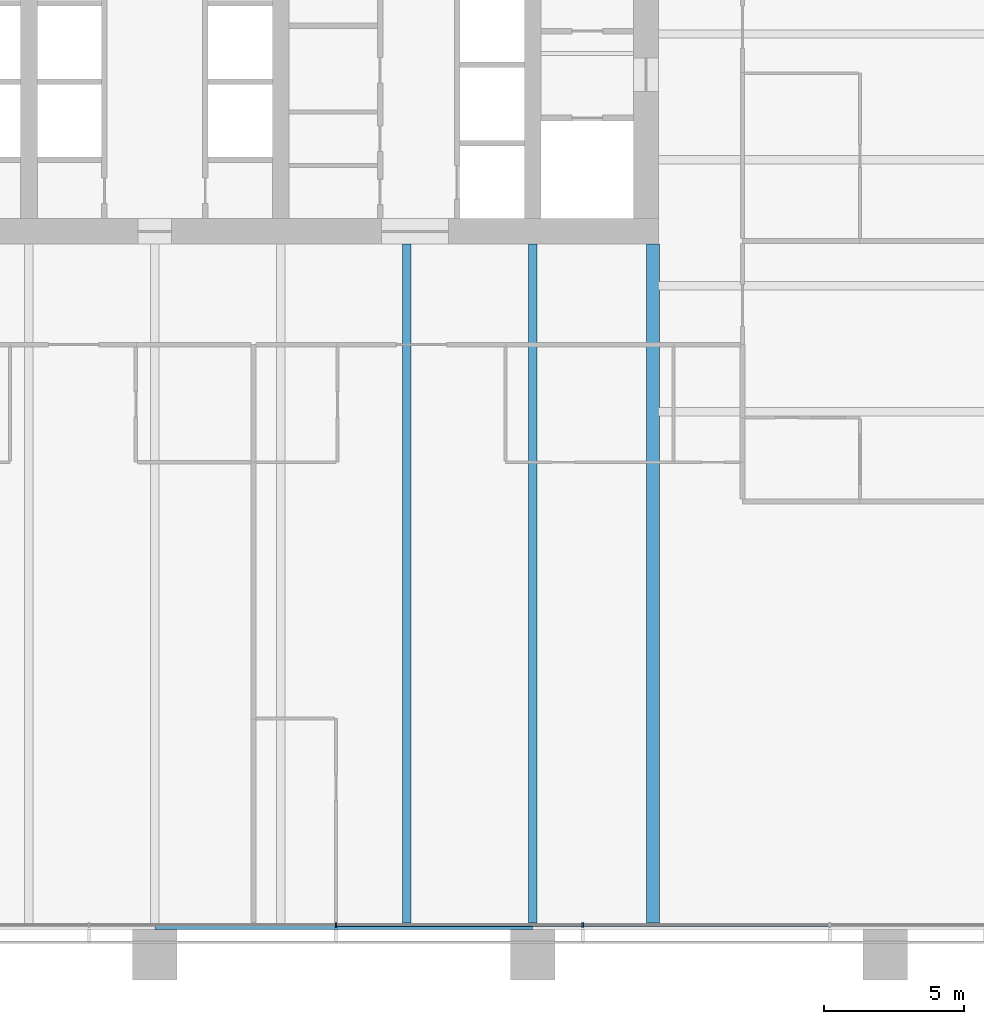
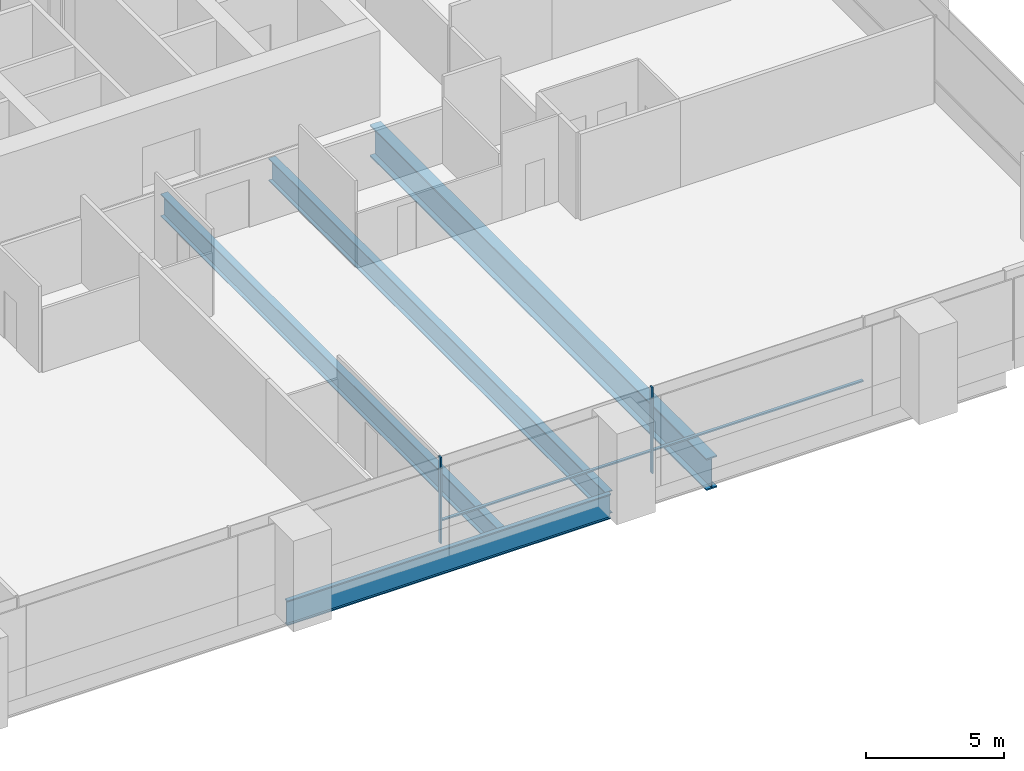
# One storey, part 5 of 19: 4 beams, 4 members, 1 element without a shape of its own.
"""IFC4 building model written with IfcOpenShell, lengths in metres."""

from ifc_helpers import new_model, si_unit, direction, frame, origin, origin_2d, place, context, subcontext, project, spatial, rectangle, i_section, extrude, material, material_profile, profile_set, type_object, element, aggregate, save


model = new_model("IFC4")

# Units and contexts
model_context = context("Model", 3, precision=1e-05, world=origin(), true_north=direction((0.0, 1.0)))
body_context = subcontext(model_context, "Body", "Model", "MODEL_VIEW")
ifc_project = project(units=[si_unit("LENGTHUNIT", "METRE"), si_unit("AREAUNIT", "SQUARE_METRE"), si_unit("VOLUMEUNIT", "CUBIC_METRE"), si_unit("PLANEANGLEUNIT", "RADIAN"), si_unit("MASSUNIT", "GRAM", prefix="KILO")], contexts=[model_context])

# Site, building, storey
site_placement = place(None, origin())
site = spatial("IfcSite", under=ifc_project, at=site_placement, CompositionType="ELEMENT")
building_placement = place(site_placement, origin())
building = spatial("IfcBuilding", under=site, at=building_placement, Name="Rattan Terrace Tower", CompositionType="ELEMENT")
storey_placement = place(building_placement, frame((0.0, 0.0, 87.699951171875)))
storey = spatial("IfcBuildingStorey", under=building, at=storey_placement, Name="L19", CompositionType="ELEMENT", Elevation=87.699951171875)

# Curtain wall, members
ifc_material_1 = material(Name="Aluminium and glass", Category="aluminium")
curtain_wall_type = type_object("IfcCurtainWallType", Name="Facade Unitised Curtain Wall", PredefinedType="NOTDEFINED", material=ifc_material_1)
curtain_wall_placement = place(storey_placement, origin())
curtain_wall = element("IfcCurtainWall", 1, at=curtain_wall_placement, inside=storey, type_object=curtain_wall_type, Name="Curtain wall L19-4", PredefinedType="NOTDEFINED")
ifc_material_2 = material(Name="Aluminium", Category="aluminium")
ifc_material_profile_1 = material_profile(ifc_material_2, rectangle(XDim=0.06005859375, YDim=0.159912109375, at=origin_2d()), Name="Aluminium 60x160")
ifc_profile_set_1 = profile_set([ifc_material_profile_1], Name="Aluminium")
member_type_1 = type_object("IfcMemberType", Name="Facade CW Mullion 60x160", PredefinedType="MULLION", material=ifc_profile_set_1)
member_1_placement = place(storey_placement, frame((6.468994140625, -31.830078125, 0.0), z_axis=(0.0, 0.0, 1.0), x_axis=(1.0, 0.0, 0.0)))
member_1 = element("IfcMember", 2, at=member_1_placement, type_object=member_type_1, Name="Mullion cwl-L19-004.4", PredefinedType="MULLION", context=body_context, shape_type="SweptSolid", body=[
    extrude(rectangle(XDim=0.06005859375, YDim=0.159912109375, at=origin_2d()), origin(), (0.0, 0.0, 1.0), 3.800048828125),
])
member_2_placement = place(storey_placement, frame((15.2919921875, -31.830078125, 0.0), z_axis=(0.0, 0.0, 1.0), x_axis=(1.0, 0.0, 0.0)))
member_2 = element("IfcMember", 3, at=member_2_placement, type_object=member_type_1, Name="Mullion cwl-L19-004.5", PredefinedType="MULLION", context=body_context, shape_type="SweptSolid", body=[
    extrude(rectangle(XDim=0.06005859375, YDim=0.159912109375, at=origin_2d()), origin(), (0.0, 0.0, 1.0), 3.800048828125),
])
ifc_material_3 = material(Name="Aluminium", Category="aluminium")
ifc_material_profile_2 = material_profile(ifc_material_3, rectangle(XDim=0.1201171875, YDim=0.06005859375, at=origin_2d()), Name="Aluminium 120x60")
ifc_profile_set_2 = profile_set([ifc_material_profile_2], Name="Aluminium")
member_type_2 = type_object("IfcMemberType", Name="Facade CW Transom 120x60", PredefinedType="USERDEFINED", material=ifc_profile_set_2)
member_3_placement = place(storey_placement, frame((6.4990234375, -31.830078125, 1.0), z_axis=(1.0, 0.0, 0.0), x_axis=(0.0, 1.0, 0.0)))
member_3 = element("IfcMember", 4, at=member_3_placement, type_object=member_type_2, Name="Transom cwl-L19-004.4", ObjectType="TRANSOM", PredefinedType="USERDEFINED", context=body_context, shape_type="SweptSolid", body=[
    extrude(rectangle(XDim=0.1201171875, YDim=0.06005859375, at=origin_2d()), origin(), (0.0, 0.0, 1.0), 8.762939453125),
])
member_4_placement = place(storey_placement, frame((15.322021484375, -31.830078125, 1.0), z_axis=(1.0, 0.0, 0.0), x_axis=(0.0, 1.0, 0.0)))
member_4 = element("IfcMember", 5, at=member_4_placement, type_object=member_type_2, Name="Transom cwl-L19-004.5", ObjectType="TRANSOM", PredefinedType="USERDEFINED", context=body_context, shape_type="SweptSolid", body=[
    extrude(rectangle(XDim=0.1201171875, YDim=0.06005859375, at=origin_2d()), origin(), (0.0, 0.0, 1.0), 8.762939453125),
])
aggregate(curtain_wall, [member_1, member_2, member_3, member_4])

# Beams
ifc_material_4 = material(Name="Steel S460", Category="steel")
ifc_material_profile_3 = material_profile(ifc_material_4, i_section(OverallWidth=0.449951171875, OverallDepth=1.39990234375, WebThickness=0.02197265625, FlangeThickness=0.054931640625, at=origin_2d()), Name="PG 1400x450-22-55")
ifc_profile_set_3 = profile_set([ifc_material_profile_3], Name="Steel S460")
beam_type_1 = type_object("IfcBeamType", Name="Frame core girder PG 1400x450-22-55", PredefinedType="BEAM", material=ifc_profile_set_3)
beam_1_placement = place(storey_placement, frame((17.800048828125, -31.820068359375, -0.89990234375), z_axis=(0.0, 1.0, 0.0), x_axis=(-1.0, 0.0, 0.0)))
element("IfcBeam", 6, at=beam_1_placement, inside=storey, type_object=beam_type_1, Name="gdr-L19-009", PredefinedType="BEAM", context=body_context, shape_type="SweptSolid", body=[
    extrude(i_section(OverallWidth=0.449951171875, OverallDepth=1.39990234375, WebThickness=0.02197265625, FlangeThickness=0.054931640625, at=origin_2d()), origin(), (0.0, 0.0, 1.0), 24.320068359375),
])
ifc_material_5 = material(Name="Steel S460", Category="steel")
ifc_material_profile_4 = material_profile(ifc_material_5, i_section(OverallWidth=0.179931640625, OverallDepth=1.10009765625, WebThickness=0.01611328125, FlangeThickness=0.050048828125, at=origin_2d()), Name="PG 1100x180-16-50")
ifc_profile_set_4 = profile_set([ifc_material_profile_4], Name="Steel S460")
beam_type_2 = type_object("IfcBeamType", Name="Frame edge girder PG 1100x180-16-50", PredefinedType="SPANDREL", material=ifc_profile_set_4)
beam_2_placement = place(storey_placement, frame((0.0, -31.909912109375, -0.75), z_axis=(1.0, 0.0, 0.0), x_axis=(0.0, 1.0, 0.0)))
element("IfcBeam", 7, at=beam_2_placement, inside=storey, type_object=beam_type_2, Name="gdr-L19-002", PredefinedType="SPANDREL", context=body_context, shape_type="SweptSolid", body=[
    extrude(i_section(OverallWidth=0.179931640625, OverallDepth=1.10009765625, WebThickness=0.01611328125, FlangeThickness=0.050048828125, at=origin_2d()), origin(), (0.0, 0.0, 1.0), 13.5),
])
ifc_material_6 = material(Name="Steel S460", Category="steel")
ifc_material_profile_5 = material_profile(ifc_material_6, i_section(OverallWidth=0.300048828125, OverallDepth=1.0, WebThickness=0.013916015625, FlangeThickness=0.0400390625, at=origin_2d()), Name="PG 1000x300-14-40")
ifc_profile_set_5 = profile_set([ifc_material_profile_5], Name="Steel S460")
beam_type_3 = type_object("IfcBeamType", Name="Frame floor beam PG 1000x300-14-40", PredefinedType="JOIST", material=ifc_profile_set_5)
for number, where, z_axis, x_axis, name in (
    (8, (9.0, -31.820068359375, -0.699951171875), (0.0, 1.0, 0.0), (-1.0, 0.0, 0.0), "bm-L19-008"),
    (9, (13.5, -31.820068359375, -0.699951171875), (0.0, 1.0, 0.0), (-1.0, 0.0, 0.0), "bm-L19-009"),
):
    element("IfcBeam", number, at=place(storey_placement, frame(where, z_axis=z_axis, x_axis=x_axis)), inside=storey, type_object=beam_type_3, Name=name, PredefinedType="JOIST", context=body_context, shape_type="SweptSolid", body=[
        extrude(i_section(OverallWidth=0.300048828125, OverallDepth=1.0, WebThickness=0.013916015625, FlangeThickness=0.0400390625, at=origin_2d()), origin(), (0.0, 0.0, 1.0), 24.320068359375),
    ])

save(model, "model.ifc")
